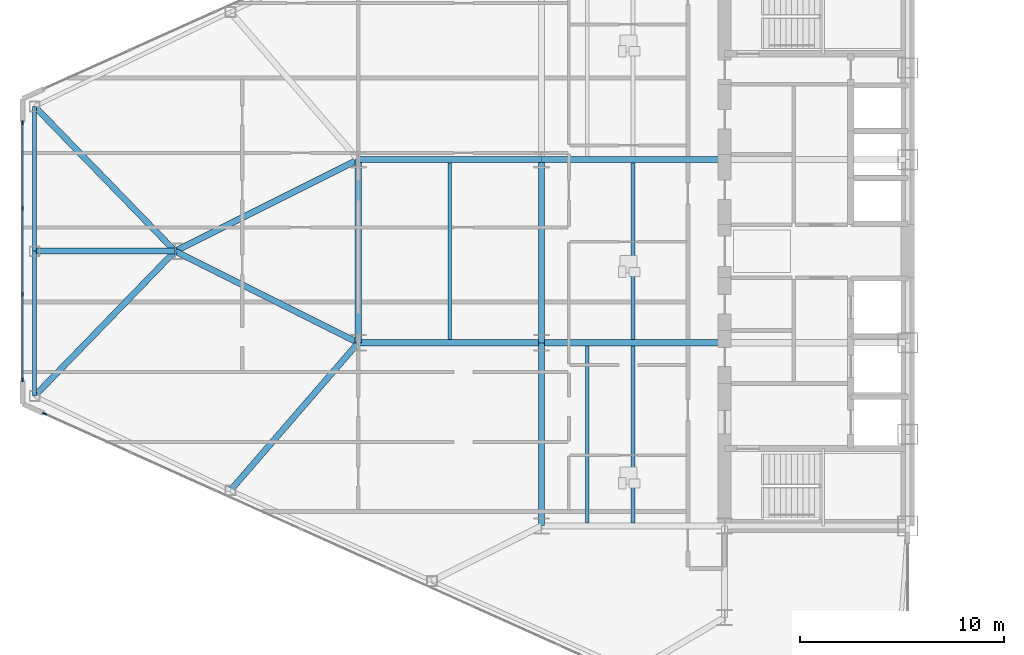
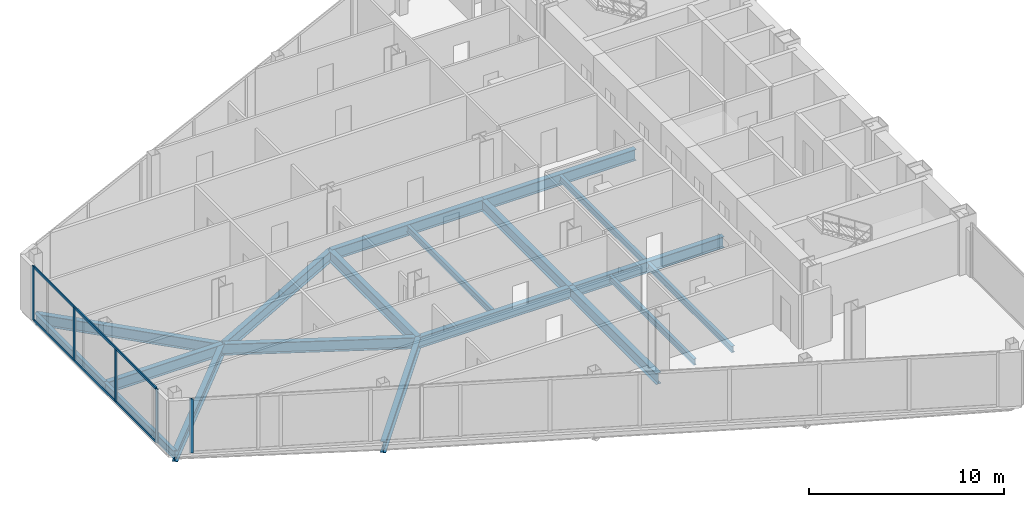
# One storey, part 5 of 27: 19 beams, 7 members, 2 elements without a shape of their own.
"""IFC4 building model written with IfcOpenShell, lengths in metres."""

from ifc_helpers import new_model, si_unit, direction, frame, origin, origin_2d, place, context, subcontext, project, spatial, rectangle, i_section, extrude, source, transform, mapped, material, layer, layer_set, material_profile, profile_set, type_object, type_shapes, element, aggregate, save


model = new_model("IFC4")

# Units and contexts
model_context = context("Model", 3, precision=1e-05, world=origin(), true_north=direction((0.0, 1.0)))
body_context = subcontext(model_context, "Body", "Model", "MODEL_VIEW")
ifc_project = project(units=[si_unit("LENGTHUNIT", "METRE"), si_unit("AREAUNIT", "SQUARE_METRE"), si_unit("VOLUMEUNIT", "CUBIC_METRE"), si_unit("PLANEANGLEUNIT", "RADIAN"), si_unit("MASSUNIT", "GRAM", prefix="KILO")], contexts=[model_context])

# Site, building, storey
site_placement = place(None, origin())
site = spatial("IfcSite", under=ifc_project, at=site_placement, CompositionType="ELEMENT")
building_placement = place(site_placement, origin())
building = spatial("IfcBuilding", under=site, at=building_placement, Name="Seokmaru Belvedere", CompositionType="ELEMENT")
storey_placement = place(building_placement, frame((0.0, 0.0, 96.0)))
storey = spatial("IfcBuildingStorey", under=building, at=storey_placement, Name="L25", CompositionType="ELEMENT", Elevation=96.0)

# Beams
ifc_material_1 = material(Name="Steel SM355 (355 MPa)", Category="steel")
ifc_material_profile_1 = material_profile(ifc_material_1, i_section(OverallWidth=0.300048828125, OverallDepth=0.699951171875, WebThickness=0.012939453125, FlangeThickness=0.02392578125, at=origin_2d()), Name="H-700x300x13x24")
ifc_profile_set_1 = profile_set([ifc_material_profile_1], Name="Steel SM355 (355 MPa)")
beam_type_1 = type_object("IfcBeamType", Name="Primary Floor Girder H-700", PredefinedType="BEAM", material=ifc_profile_set_1)
shared_shape_1 = source(origin(), body_context, "Body", "SweptSolid", [
    extrude(i_section(OverallWidth=0.300048828125, OverallDepth=0.699951171875, WebThickness=0.012939453125, FlangeThickness=0.02392578125, at=origin_2d()), origin(), (0.0, 0.0, 1.0), 9.0),
])
for number, where, z_axis, x_axis, name in (
    (1, (-45.5, -13.5, -0.570068359375), (0.0, 1.0, 0.0), (-1.0, 0.0, 0.0), "L25 W Interior Grid Girder 1"),
    (2, (-45.5, -4.5, -0.570068359375), (0.0, 1.0, 0.0), (-1.0, 0.0, 0.0), "L25 W Interior Grid Girder 2"),
    (3, (-45.5, -4.5, -0.570068359375), (1.0, 0.0, 0.0), (0.0, 1.0, 0.0), "L25 W Wing Primary Girder 2"),
    (4, (-45.5, 4.5, -0.570068359375), (1.0, 0.0, 0.0), (0.0, 1.0, 0.0), "L25 W Wing Primary Girder 3"),
    (5, (-54.5, -4.5, -0.570068359375), (1.0, 0.0, 0.0), (0.0, 1.0, 0.0), "L25 W Outer Wing Girder 1"),
    (6, (-54.5, 4.5, -0.570068359375), (1.0, 0.0, 0.0), (0.0, 1.0, 0.0), "L25 W Outer Wing Girder 2"),
    (7, (-54.5, -4.5, -0.570068359375), (0.0, 1.0, 0.0), (-1.0, 0.0, 0.0), "L25 W Apex Frame Girder"),
):
    element("IfcBeam", number, at=place(storey_placement, frame(where, z_axis=z_axis, x_axis=x_axis)), inside=storey, type_object=beam_type_1, Name=name, PredefinedType="BEAM", context=body_context, shape_type="MappedRepresentation", body=[
        mapped(shared_shape_1, transform((0.0, 0.0, 0.0), scale=1.0)),
    ])
shared_shape_2 = source(origin(), body_context, "Body", "SweptSolid", [
    extrude(i_section(OverallWidth=0.300048828125, OverallDepth=0.699951171875, WebThickness=0.012939453125, FlangeThickness=0.02392578125, at=origin_2d()), origin(), (0.0, 0.0, 1.0), 10.062255859375),
])
for number, where, z_axis, x_axis, name in (
    (8, (-54.5, -4.5, -0.570068359375), (-0.894427191, 0.4472135955, 0.0), (-0.4472135955, -0.894427191, 0.0), "L25 W Apex Converging Girder 1"),
    (9, (-54.5, 4.5, -0.570068359375), (-0.894427191, -0.4472135955, 0.0), (0.4472135955, -0.894427191, 0.0), "L25 W Apex Converging Girder 2"),
):
    element("IfcBeam", number, at=place(storey_placement, frame(where, z_axis=z_axis, x_axis=x_axis)), inside=storey, type_object=beam_type_1, Name=name, PredefinedType="BEAM", context=body_context, shape_type="MappedRepresentation", body=[
        mapped(shared_shape_2, transform((0.0, 0.0, 0.0), scale=1.0)),
    ])
ifc_material_profile_2 = material_profile(ifc_material_1, i_section(OverallWidth=0.18505859375, OverallDepth=0.389892578125, WebThickness=0.008056640625, FlangeThickness=0.011962890625, at=origin_2d()), Name="H-390x185x8x12")
ifc_profile_set_2 = profile_set([ifc_material_profile_2], Name="Steel SM355 (355 MPa)")
beam_type_2 = type_object("IfcBeamType", Name="Secondary Floor Joist H-350", PredefinedType="JOIST", material=ifc_profile_set_2)
shared_shape_3 = source(origin(), body_context, "Body", "SweptSolid", [
    extrude(i_section(OverallWidth=0.18505859375, OverallDepth=0.389892578125, WebThickness=0.008056640625, FlangeThickness=0.011962890625, at=origin_2d()), origin(), (0.0, 0.0, 1.0), 8.68994140625),
])
type_shapes(beam_type_2, [shared_shape_3])
for number, where, z_axis, x_axis, name in (
    (10, (-43.25, -13.344970703125, -0.4150390625), (0.0, 1.0, 0.0), (-1.0, 0.0, 0.0), "L25 W Wing Inner Secondary Joist 1"),
    (11, (-41.0, -13.344970703125, -0.4150390625), (0.0, 1.0, 0.0), (-1.0, 0.0, 0.0), "L25 W Secondary Floor Joist 1"),
    (12, (-41.0, -4.344970703125, -0.4150390625), (0.0, 1.0, 0.0), (-1.0, 0.0, 0.0), "L25 W Secondary Floor Joist 2"),
    (13, (-50.0, -4.344970703125, -0.4150390625), (0.0, 1.0, 0.0), (-1.0, 0.0, 0.0), "L25 W Outer Bay Secondary Joist"),
):
    element("IfcBeam", number, at=place(storey_placement, frame(where, z_axis=z_axis, x_axis=x_axis)), inside=storey, type_object=beam_type_2, Name=name, PredefinedType="JOIST", context=body_context, shape_type="MappedRepresentation", body=[
        mapped(shared_shape_3, transform((0.0, 0.0, 0.0), scale=1.0)),
    ])
ifc_material_profile_3 = material_profile(ifc_material_1, i_section(OverallWidth=0.199951171875, OverallDepth=0.5, WebThickness=0.010009765625, FlangeThickness=0.01611328125, at=origin_2d()), Name="H-500x200x10x16")
ifc_profile_set_3 = profile_set([ifc_material_profile_3], Name="Steel SM355 (355 MPa)")
beam_type_3 = type_object("IfcBeamType", Name="Perimeter Spandrel Beam H-500", PredefinedType="SPANDREL", material=ifc_profile_set_3)
shared_shape_4 = source(origin(), body_context, "Body", "SweptSolid", [
    extrude(i_section(OverallWidth=0.199951171875, OverallDepth=0.5, WebThickness=0.010009765625, FlangeThickness=0.01611328125, at=origin_2d()), origin(), (0.0, 0.0, 1.0), 7.112060546875),
])
type_shapes(beam_type_3, [shared_shape_4])
for number, where, z_axis, x_axis, name in (
    (14, (-70.39990234375, -7.112060546875, -0.469970703125), (0.0, 1.0, 0.0), (-1.0, 0.0, 0.0), "L25 W Faceted Apex Spandrel S"),
    (15, (-70.39990234375, 0.0, -0.469970703125), (0.0, 1.0, 0.0), (-1.0, 0.0, 0.0), "L25 W Faceted Apex Spandrel N"),
):
    element("IfcBeam", number, at=place(storey_placement, frame(where, z_axis=z_axis, x_axis=x_axis)), inside=storey, type_object=beam_type_3, Name=name, PredefinedType="SPANDREL", context=body_context, shape_type="MappedRepresentation", body=[
        mapped(shared_shape_4, transform((0.0, 0.0, 0.0), scale=1.0)),
    ])
shared_shape_5 = source(origin(), body_context, "Body", "SweptSolid", [
    extrude(i_section(OverallWidth=0.300048828125, OverallDepth=0.699951171875, WebThickness=0.012939453125, FlangeThickness=0.02392578125, at=origin_2d()), origin(), (0.0, 0.0, 1.0), 9.589599609375),
])
beam_1_placement = place(storey_placement, frame((-60.777587890625, -11.749267578125, -0.570068359375), z_axis=(0.654626140929, 0.755952786629, 0.0), x_axis=(-0.755952786629, 0.654626140929, 0.0)))
element("IfcBeam", 16, at=beam_1_placement, inside=storey, type_object=beam_type_1, Name="L25 W Flank Radial Floor Girder S-3", PredefinedType="BEAM", context=body_context, shape_type="MappedRepresentation", body=[
    mapped(shared_shape_5, transform((0.0, 0.0, 0.0), scale=1.0)),
])
shared_shape_6 = source(origin(), body_context, "Body", "SweptSolid", [
    extrude(i_section(OverallWidth=0.300048828125, OverallDepth=0.699951171875, WebThickness=0.012939453125, FlangeThickness=0.02392578125, at=origin_2d()), origin(), (0.0, 0.0, 1.0), 9.9091796875),
])
for number, where, z_axis, x_axis, name in (
    (17, (-70.39990234375, -7.112060546875, -0.570068359375), (0.6963205089, 0.717730972499, 0.0), (-0.717730972499, 0.6963205089, 0.0), "L25 W Apex Radial Floor Girder 1"),
    (18, (-70.39990234375, 7.112060546875, -0.570068359375), (0.6963205089, -0.717730972499, 0.0), (0.717730972499, 0.6963205089, 0.0), "L25 W Apex Radial Floor Girder 2"),
):
    element("IfcBeam", number, at=place(storey_placement, frame(where, z_axis=z_axis, x_axis=x_axis)), inside=storey, type_object=beam_type_1, Name=name, PredefinedType="BEAM", context=body_context, shape_type="MappedRepresentation", body=[
        mapped(shared_shape_6, transform((0.0, 0.0, 0.0), scale=1.0)),
    ])
shared_shape_7 = source(origin(), body_context, "Body", "SweptSolid", [
    extrude(i_section(OverallWidth=0.300048828125, OverallDepth=0.699951171875, WebThickness=0.012939453125, FlangeThickness=0.02392578125, at=origin_2d()), origin(), (0.0, 0.0, 1.0), 6.89990234375),
])
type_shapes(beam_type_1, [shared_shape_1, shared_shape_2, shared_shape_5, shared_shape_6, shared_shape_7])
beam_2_placement = place(storey_placement, frame((-70.39990234375, 0.0, -0.570068359375), z_axis=(1.0, 0.0, 0.0), x_axis=(0.0, 1.0, 0.0)))
element("IfcBeam", 19, at=beam_2_placement, inside=storey, type_object=beam_type_1, Name="L25 W Apex Center Radial Girder", PredefinedType="BEAM", context=body_context, shape_type="MappedRepresentation", body=[
    mapped(shared_shape_7, transform((0.0, 0.0, 0.0), scale=1.0)),
])

# Curtain wall, members
ifc_material_2 = material(Name="Bronze Triple Insulating Glass", Category="glass")
ifc_layer = layer(ifc_material_2, 0.195068359375)
ifc_layer_set = layer_set([ifc_layer], Name="Bronze Triple Insulating Glass")
curtain_wall_type = type_object("IfcCurtainWallType", Name="Lower-Mid Tapered Curtain Wall System CW-3", PredefinedType="NOTDEFINED", material=ifc_layer_set)
curtain_wall_1_placement = place(storey_placement, origin())
curtain_wall_1 = element("IfcCurtainWall", 20, at=curtain_wall_1_placement, inside=storey, type_object=curtain_wall_type, Name="L25 Curtain Wall WF4", PredefinedType="NOTDEFINED")
ifc_material_3 = material(Name="Anodised Bronze Aluminium", Category="aluminium")
ifc_material_profile_4 = material_profile(ifc_material_3, rectangle(XDim=0.070068359375, YDim=0.195068359375, at=origin_2d()), Name="CW-M-70x195")
ifc_profile_set_4 = profile_set([ifc_material_profile_4], Name="Anodised Bronze Aluminium")
member_type_1 = type_object("IfcMemberType", Name="Bronze Unitised Mullion 70x195", PredefinedType="MULLION", material=ifc_profile_set_4)
shared_shape_8 = source(origin(), body_context, "Body", "SweptSolid", [
    extrude(rectangle(XDim=0.070068359375, YDim=0.195068359375, at=origin_2d()), origin(), (0.0, 0.0, 1.0), 3.3798828125),
])
member_1_placement = place(storey_placement, frame((-71.0, 6.31494140625, 0.0), z_axis=(0.0, 0.0, 1.0), x_axis=(1.0, 0.0, 0.0)))
member_1 = element("IfcMember", 21, at=member_1_placement, type_object=member_type_1, Name="CW:L25:WF4 Mullion 1", PredefinedType="MULLION", context=body_context, shape_type="MappedRepresentation", body=[
    mapped(shared_shape_8, transform((0.0, 0.0, 0.0), scale=1.0)),
])
member_2_placement = place(storey_placement, frame((-71.0, -6.31494140625, 0.0), z_axis=(0.0, 0.0, 1.0), x_axis=(1.0, 0.0, 0.0)))
member_2 = element("IfcMember", 22, at=member_2_placement, type_object=member_type_1, Name="CW:L25:WF4 Mullion 4", PredefinedType="MULLION", context=body_context, shape_type="MappedRepresentation", body=[
    mapped(shared_shape_8, transform((0.0, 0.0, 0.0), scale=1.0)),
])

# Curtain wall, member
curtain_wall_2_placement = place(storey_placement, origin())
curtain_wall_2 = element("IfcCurtainWall", 23, at=curtain_wall_2_placement, inside=storey, type_object=curtain_wall_type, Name="L25 Curtain Wall WF5", PredefinedType="NOTDEFINED")
member_3_placement = place(storey_placement, frame((-69.91943359375, -7.986328125, 0.0), z_axis=(0.0, 0.0, 1.0), x_axis=(0.41036554765, 0.91192111353, 0.0)))
member_3 = element("IfcMember", 24, at=member_3_placement, type_object=member_type_1, Name="CW:L25:WF5 Mullion 1", PredefinedType="MULLION", context=body_context, shape_type="MappedRepresentation", body=[
    mapped(shared_shape_8, transform((0.0, 0.0, 0.0), scale=1.0)),
])
aggregate(curtain_wall_2, [member_3])

# Member
shared_shape_9 = source(origin(), body_context, "Body", "SweptSolid", [
    extrude(rectangle(XDim=0.070068359375, YDim=0.195068359375, at=origin_2d()), origin(), (0.0, 0.0, 1.0), 3.239990234375),
])
type_shapes(member_type_1, [shared_shape_8, shared_shape_9])
member_4_placement = place(storey_placement, frame((-71.0, 2.11669921875, 0.070068359375), z_axis=(0.0, 0.0, 1.0), x_axis=(1.0, 0.0, 0.0)))
member_4 = element("IfcMember", 25, at=member_4_placement, type_object=member_type_1, Name="CW:L25:WF4 Mullion 2", PredefinedType="MULLION", context=body_context, shape_type="MappedRepresentation", body=[
    mapped(shared_shape_9, transform((0.0, 0.0, 0.0), scale=1.0)),
])

member_5_placement = place(storey_placement, frame((-71.0, -2.11669921875, 0.070068359375), z_axis=(0.0, 0.0, 1.0), x_axis=(1.0, 0.0, 0.0)))
member_5 = element("IfcMember", 26, at=member_5_placement, type_object=member_type_1, Name="CW:L25:WF4 Mullion 3", PredefinedType="MULLION", context=body_context, shape_type="MappedRepresentation", body=[
    mapped(shared_shape_9, transform((0.0, 0.0, 0.0), scale=1.0)),
])

ifc_material_profile_5 = material_profile(ifc_material_3, rectangle(XDim=0.070068359375, YDim=0.1650390625, at=origin_2d()), Name="CW-T-70x165")
ifc_profile_set_5 = profile_set([ifc_material_profile_5], Name="Anodised Bronze Aluminium")
member_type_2 = type_object("IfcMemberType", Name="Bronze Unitised Transom 70x165", PredefinedType="USERDEFINED", material=ifc_profile_set_5)
shared_shape_10 = source(origin(), body_context, "Body", "SweptSolid", [
    extrude(rectangle(XDim=0.070068359375, YDim=0.1650390625, at=origin_2d()), origin(), (0.0, 0.0, 1.0), 12.56005859375),
])
type_shapes(member_type_2, [shared_shape_10])
member_6_placement = place(storey_placement, frame((-71.0, 6.280029296875, 0.034912109375), z_axis=(0.0, -1.0, 0.0), x_axis=(1.0, 0.0, 0.0)))
member_6 = element("IfcMember", 27, at=member_6_placement, type_object=member_type_2, Name="CW:L25:WF4 Continuous Transom 1", ObjectType="TRANSOM", PredefinedType="USERDEFINED", context=body_context, shape_type="MappedRepresentation", body=[
    mapped(shared_shape_10, transform((0.0, 0.0, 0.0), scale=1.0)),
])

member_7_placement = place(storey_placement, frame((-71.0, 6.280029296875, 3.344970703125), z_axis=(0.0, -1.0, 0.0), x_axis=(1.0, 0.0, 0.0)))
member_7 = element("IfcMember", 28, at=member_7_placement, type_object=member_type_2, Name="CW:L25:WF4 Continuous Transom 2", ObjectType="TRANSOM", PredefinedType="USERDEFINED", context=body_context, shape_type="MappedRepresentation", body=[
    mapped(shared_shape_10, transform((0.0, 0.0, 0.0), scale=1.0)),
])

aggregate(curtain_wall_1, [member_1, member_4, member_5, member_2, member_6, member_7])

save(model, "model.ifc")
